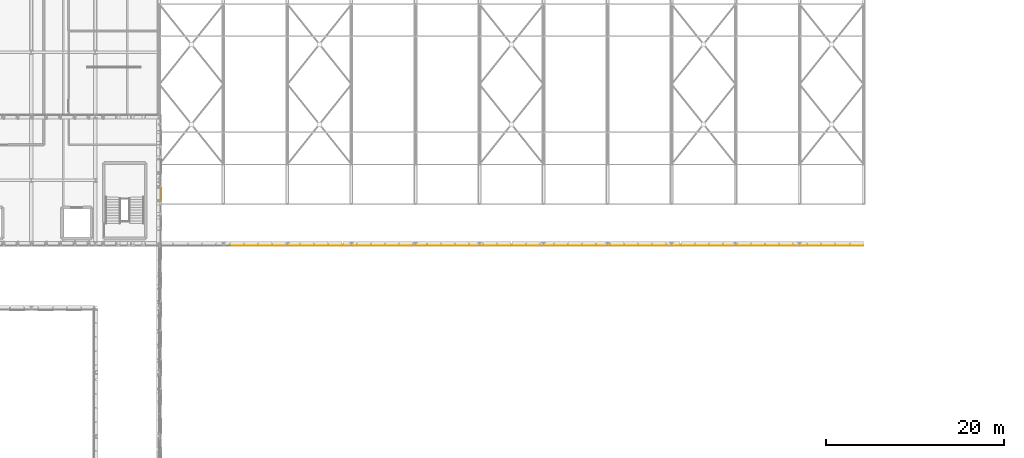
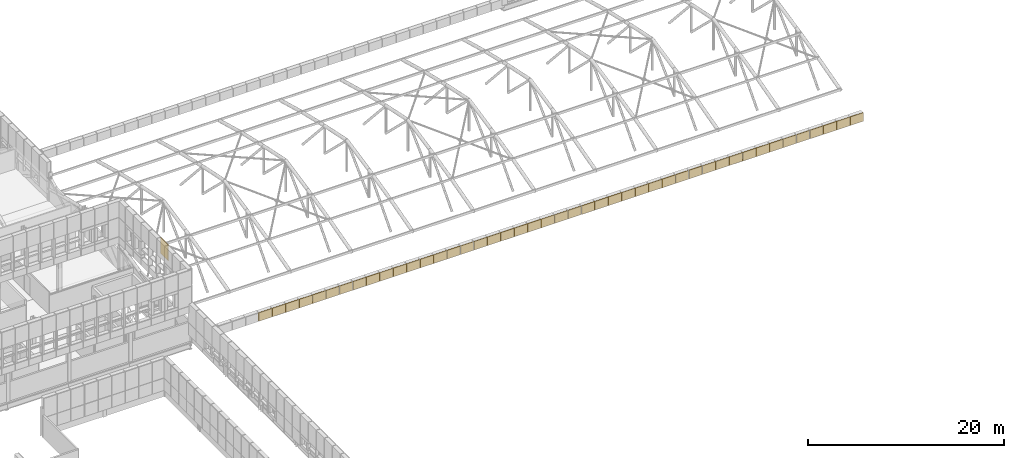
# One storey, part 82 of 96: 46 coverings.
"""IFC4 building model written with IfcOpenShell, lengths in metres."""

import ifcopenshell
import ifcopenshell.guid

model = None  # the IFC model being written
_history = None  # IfcOwnerHistory: only IFC2X3 demands one
_inside = {}  # id of a spatial element -> (the spatial element, [elements in it])
_under = {}  # id of a project, library or spatial element -> (it, [spatial elements below it])
_declared = {}  # id of a project -> (the project, [libraries it declares])
_typed = {}  # id of a type object -> (the type object, [elements of that type])
_made_of = {}  # id of a material, layer set ... -> (it, [elements and type objects made of it])


def new_model(schema):
    """Start an empty IFC model of exactly this schema.

    Asked for "IFC4X3", IfcOpenShell would pick the latest addendum, in which some entities
    have other attributes; the version numbers below select the first issue.
    IFC2X3 requires an IfcOwnerHistory on every rooted entity: one is made here for all.
    """
    global model, _history
    if schema == "IFC4X3":
        model = ifcopenshell.file(schema_version=(4, 3, 0, 0))
    else:
        model = ifcopenshell.file(schema=schema)
    _inside.clear()
    _under.clear()
    _declared.clear()
    _typed.clear()
    _made_of.clear()
    _history = None
    if model.schema == "IFC2X3":
        org = make("IfcOrganization", Name="unknown")
        user = make(
            "IfcPersonAndOrganization",
            ThePerson=make("IfcPerson", FamilyName="unknown"),
            TheOrganization=org,
        )
        app = make(
            "IfcApplication",
            ApplicationDeveloper=org,
            Version="unknown",
            ApplicationFullName="unknown",
            ApplicationIdentifier="unknown",
        )
        _history = make(
            "IfcOwnerHistory",
            OwningUser=user,
            OwningApplication=app,
            ChangeAction="ADDED",
            CreationDate=0,
        )
    return model


def make(cls, **values):
    """One entity of the class cls with the attributes given. An attribute that is None is left unset."""
    return model.create_entity(
        cls, **{name: value for name, value in values.items() if value is not None}
    )


def rooted(cls, **values):
    """An entity with a GlobalId (a new one), such as an element, a storey or a relation."""
    return make(cls, GlobalId=ifcopenshell.guid.new(), OwnerHistory=_history, **values)


def si_unit(unit_type, name, prefix=None):
    """IfcSIUnit, for example si_unit("LENGTHUNIT", "METRE", prefix="MILLI")."""
    return make("IfcSIUnit", UnitType=unit_type, Prefix=prefix, Name=name)


def assignment(units):
    """IfcUnitAssignment: the units of a project."""
    return None if units is None else make("IfcUnitAssignment", Units=units)


def point(xyz):
    """IfcCartesianPoint."""
    return None if xyz is None else make("IfcCartesianPoint", Coordinates=xyz)


def direction(xyz):
    """IfcDirection."""
    return None if xyz is None else make("IfcDirection", DirectionRatios=xyz)


def frame(location, z_axis=None, x_axis=None):
    """IfcAxis2Placement3D, a coordinate frame: its origin and axes. An axis left out is left unset."""
    return make(
        "IfcAxis2Placement3D",
        Location=point(location),
        Axis=direction(z_axis),
        RefDirection=direction(x_axis),
    )


def frame_2d(location, x_axis=None):
    """IfcAxis2Placement2D, a coordinate frame in the plane: its origin and x axis."""
    return make(
        "IfcAxis2Placement2D", Location=point(location), RefDirection=direction(x_axis)
    )


def origin():
    """The frame at (0, 0, 0) with its axes left unset."""
    return frame((0.0, 0.0, 0.0))


def origin_2d():
    """The frame at (0, 0) in the plane with its x axis left unset."""
    return frame_2d((0.0, 0.0))


def place(relative_to, where):
    """IfcLocalPlacement: puts the frame where relative to a parent placement (None: the world)."""
    return make(
        "IfcLocalPlacement", PlacementRelTo=relative_to, RelativePlacement=where
    )


def context(
    kind, dimensions, precision=None, world=None, true_north=None, identifier=None
):
    """IfcGeometricRepresentationContext, for example the 3D "Model" context."""
    return make(
        "IfcGeometricRepresentationContext",
        ContextIdentifier=identifier,
        ContextType=kind,
        CoordinateSpaceDimension=dimensions,
        Precision=precision,
        WorldCoordinateSystem=world,
        TrueNorth=true_north,
    )


def subcontext(parent, identifier, kind, view, scale=None):
    """IfcGeometricRepresentationSubContext, for example "Body" below "Model"."""
    return make(
        "IfcGeometricRepresentationSubContext",
        ContextIdentifier=identifier,
        ContextType=kind,
        ParentContext=parent,
        TargetScale=scale,
        TargetView=view,
    )


def project(units=None, contexts=None):
    """IfcProject with its units and contexts."""
    return rooted(
        "IfcProject",
        Name="project",
        RepresentationContexts=contexts,
        UnitsInContext=assignment(units),
    )


def spatial(cls, under=None, at=None, **own):
    """A site, building, storey or space (cls), placed at a placement, below another one or the project."""
    s = rooted(cls, ObjectPlacement=at, **own)
    if under is not None:
        _under.setdefault(under.id(), (under, []))[1].append(s)
    return s


def profile(cls, at=None, kind="AREA", **sizes):
    """A parametric profile (cls). Its sizes go by their IFC names, for example OverallWidth=200.0."""
    return make(cls, ProfileType=kind, Position=at, **sizes)


def rectangle(**sizes):
    """IfcRectangleProfileDef."""
    return profile("IfcRectangleProfileDef", **sizes)


def extrude(swept, where, along, depth):
    """IfcExtrudedAreaSolid: the profile swept, set in the frame where, extruded along a direction by depth."""
    return make(
        "IfcExtrudedAreaSolid",
        SweptArea=swept,
        Position=where,
        ExtrudedDirection=direction(along),
        Depth=depth,
    )


def shape(context_of_items, identifier, shape_type, items):
    """IfcShapeRepresentation: the items that make up one representation, for example the "Body"."""
    return make(
        "IfcShapeRepresentation",
        ContextOfItems=context_of_items,
        RepresentationIdentifier=identifier,
        RepresentationType=shape_type,
        Items=items,
    )


def material(Name=None, Category=None):
    """IfcMaterial."""
    return make("IfcMaterial", Name=Name, Category=Category)


def layer(
    of_material, thickness, ventilated=None, Name=None, Category=None, Priority=None
):
    """IfcMaterialLayer: one layer of a wall or slab, of a material (None: an air gap)."""
    return make(
        "IfcMaterialLayer",
        Material=of_material,
        LayerThickness=thickness,
        IsVentilated=ventilated,
        Name=Name,
        Category=Category,
        Priority=Priority,
    )


def layer_set(layers, Name=None):
    """IfcMaterialLayerSet."""
    return make("IfcMaterialLayerSet", MaterialLayers=layers, LayerSetName=Name)


def made_of(thing, what):
    """Note that an element or type object is made of a material, layer set ...; save() writes the relation."""
    if what is not None:
        _made_of.setdefault(what.id(), (what, []))[1].append(thing)
    return thing


def type_object(cls, material=None, **own):
    """A type object (cls), such as IfcWallType, which elements share."""
    return made_of(rooted(cls, **own), material)


def element(
    cls,
    number,
    at=None,
    inside=None,
    cuts=None,
    type_object=None,
    material=None,
    context=None,
    identifier="Body",
    shape_type=None,
    held_by="IfcProductDefinitionShape",
    body=None,
    shapes=None,
    **own,
):
    """One element of the class cls, such as IfcWall. Its Tag is "e" and its number.

    at: its placement. inside: the storey or other place that contains it. cuts: it is an
    opening in that element (IfcRelVoidsElement). A single representation is given by context,
    identifier, shape_type and body (its items); several are given by shapes. held_by: the class
    of the entity that holds the representations. save() writes the other relations.
    """
    e = rooted(cls, Tag="e%d" % number, ObjectPlacement=at, **own)
    if body is not None:
        shapes = [shape(context, identifier, shape_type, body)]
    if shapes is not None:
        e.Representation = make(held_by, Representations=shapes)
    if inside is not None:
        _inside.setdefault(inside.id(), (inside, []))[1].append(e)
    if cuts is not None:
        rooted(
            "IfcRelVoidsElement", RelatingBuildingElement=cuts, RelatedOpeningElement=e
        )
    if type_object is not None:
        _typed.setdefault(type_object.id(), (type_object, []))[1].append(e)
    return made_of(e, material)


def aggregate(whole, parts):
    """IfcRelAggregates: a whole, such as a stair, and the parts it consists of."""
    return rooted("IfcRelAggregates", RelatingObject=whole, RelatedObjects=parts)


def save(model, path):
    """Write the relations noted so far, then the file.

    IfcRelAggregates (storeys below a building ...), IfcRelContainedInSpatialStructure (elements
    in a storey), IfcRelDefinesByType, IfcRelAssociatesMaterial and IfcRelDeclares: one each for
    every whole, place, type object, material and project.
    """
    for whole, parts in _under.values():
        aggregate(whole, parts)
    for where, things in _inside.values():
        rooted(
            "IfcRelContainedInSpatialStructure",
            RelatedElements=things,
            RelatingStructure=where,
        )
    for kind, things in _typed.values():
        rooted("IfcRelDefinesByType", RelatedObjects=things, RelatingType=kind)
    for what, things in _made_of.values():
        rooted("IfcRelAssociatesMaterial", RelatedObjects=things, RelatingMaterial=what)
    for by, libraries in _declared.values():
        rooted("IfcRelDeclares", RelatingContext=by, RelatedDefinitions=libraries)
    model.write(path)


model = new_model("IFC4")

# Units and contexts
model_context = context("Model", 3, precision=1e-05, world=origin(), true_north=direction((0.0, 1.0)))
body_context = subcontext(model_context, "Body", "Model", "MODEL_VIEW")
ifc_project = project(units=[si_unit("LENGTHUNIT", "METRE"), si_unit("AREAUNIT", "SQUARE_METRE"), si_unit("VOLUMEUNIT", "CUBIC_METRE"), si_unit("PLANEANGLEUNIT", "RADIAN"), si_unit("MASSUNIT", "GRAM", prefix="KILO")], contexts=[model_context])

# Site, building, storey
site_placement = place(None, origin())
site = spatial("IfcSite", under=ifc_project, at=site_placement, CompositionType="ELEMENT")
building_placement = place(site_placement, origin())
building = spatial("IfcBuilding", under=site, at=building_placement, Name="Yarey Park Central Fire Station", CompositionType="ELEMENT")
storey_placement = place(building_placement, frame((0.0, 0.0, 14.39990234375)))
storey = spatial("IfcBuildingStorey", under=building, at=storey_placement, Name="L04", CompositionType="ELEMENT", Elevation=14.39990234375)

# Coverings
ifc_material = material(Name="Perforated Powder-Coated Aluminium Cladding", Category="aluminium")
ifc_layer_1 = layer(ifc_material, 0.0419921875)
ifc_layer_set_1 = layer_set([ifc_layer_1], Name="Perforated Powder-Coated Aluminium Cladding")
covering_type_1 = type_object("IfcCoveringType", Name="ENV_COV_PERF_1", PredefinedType="CLADDING", material=ifc_layer_set_1)
for number, where, z_axis, x_axis, name in (
    (1, (67.89599609375, 57.43994140625, -0.28515625), (0.0, 0.0, 1.0), (1.0, 0.0, 0.0), "PERF_L04_1389"),
    (2, (71.06396484375, 57.43994140625, -0.28515625), (0.0, 0.0, 1.0), (1.0, 0.0, 0.0), "PERF_L04_1398"),
    (3, (74.23193359375, 57.43994140625, -0.28515625), (0.0, 0.0, 1.0), (1.0, 0.0, 0.0), "PERF_L04_1404"),
    (4, (77.39990234375, 57.43994140625, -0.28515625), (0.0, 0.0, 1.0), (1.0, 0.0, 0.0), "PERF_L04_1414"),
    (5, (80.568115234375, 57.43994140625, -0.28515625), (0.0, 0.0, 1.0), (1.0, 0.0, 0.0), "PERF_L04_1422"),
    (6, (83.736083984375, 57.43994140625, -0.28515625), (0.0, 0.0, 1.0), (1.0, 0.0, 0.0), "PERF_L04_1432"),
    (7, (86.904052734375, 57.43994140625, -0.28515625), (0.0, 0.0, 1.0), (1.0, 0.0, 0.0), "PERF_L04_1438"),
    (8, (90.072021484375, 57.43994140625, -0.28515625), (0.0, 0.0, 1.0), (1.0, 0.0, 0.0), "PERF_L04_1447"),
    (9, (93.239990234375, 57.43994140625, -0.28515625), (0.0, 0.0, 1.0), (1.0, 0.0, 0.0), "PERF_L04_1455"),
    (10, (96.407958984375, 57.43994140625, -0.28515625), (0.0, 0.0, 1.0), (1.0, 0.0, 0.0), "PERF_L04_1463"),
    (11, (99.575927734375, 57.43994140625, -0.28515625), (0.0, 0.0, 1.0), (1.0, 0.0, 0.0), "PERF_L04_1472"),
    (12, (102.743896484375, 57.43994140625, -0.28515625), (0.0, 0.0, 1.0), (1.0, 0.0, 0.0), "PERF_L04_1478"),
    (13, (105.912109375, 57.43994140625, -0.28515625), (0.0, 0.0, 1.0), (1.0, 0.0, 0.0), "PERF_L04_1488"),
    (14, (109.080078125, 57.43994140625, -0.28515625), (0.0, 0.0, 1.0), (1.0, 0.0, 0.0), "PERF_L04_1496"),
    (15, (112.248046875, 57.43994140625, -0.28515625), (0.0, 0.0, 1.0), (1.0, 0.0, 0.0), "PERF_L04_1506"),
    (16, (115.416015625, 57.43994140625, -0.28515625), (0.0, 0.0, 1.0), (1.0, 0.0, 0.0), "PERF_L04_1512"),
    (17, (118.583984375, 57.43994140625, -0.28515625), (0.0, 0.0, 1.0), (1.0, 0.0, 0.0), "PERF_L04_1521"),
    (18, (121.751953125, 57.43994140625, -0.28515625), (0.0, 0.0, 1.0), (1.0, 0.0, 0.0), "PERF_L04_1529"),
    (19, (124.919921875, 57.43994140625, -0.28515625), (0.0, 0.0, 1.0), (1.0, 0.0, 0.0), "PERF_L04_1537"),
    (20, (128.087890625, 57.43994140625, -0.28515625), (0.0, 0.0, 1.0), (1.0, 0.0, 0.0), "PERF_L04_1545"),
    (21, (131.256103515625, 57.43994140625, -0.28515625), (0.0, 0.0, 1.0), (1.0, 0.0, 0.0), "PERF_L04_1553"),
    (22, (134.424072265625, 57.43994140625, -0.28515625), (0.0, 0.0, 1.0), (1.0, 0.0, 0.0), "PERF_L04_1562"),
):
    element("IfcCovering", number, at=place(storey_placement, frame(where, z_axis=z_axis, x_axis=x_axis)), inside=storey, type_object=covering_type_1, Name=name, PredefinedType="CLADDING", context=body_context, shape_type="SweptSolid", body=[
        extrude(rectangle(XDim=1.5439453125, YDim=0.0419921875, at=origin_2d()), origin(), (0.0, 0.0, 1.0), 1.070068359375),
    ])
ifc_layer_2 = layer(ifc_material, 0.053955078125)
ifc_layer_set_2 = layer_set([ifc_layer_2], Name="Perforated Powder-Coated Aluminium Cladding")
covering_type_2 = type_object("IfcCoveringType", Name="ENV_COV_PERF_2", PredefinedType="CLADDING", material=ifc_layer_set_2)
covering_placement = place(storey_placement, frame((57.760009765625, 63.199951171875, 6.9150390625), z_axis=(0.0, 0.0, 1.0), x_axis=(0.0, 1.0, 0.0)))
element("IfcCovering", 23, at=covering_placement, inside=storey, type_object=covering_type_2, Name="PERF_L04_1338", PredefinedType="CLADDING", context=body_context, shape_type="SweptSolid", body=[
    extrude(rectangle(XDim=1.56005859375, YDim=0.053955078125, at=origin_2d()), origin(), (0.0, 0.0, 1.0), 2.02001953125),
])
for number, where, z_axis, x_axis, name in (
    (24, (66.31201171875, 57.43994140625, -0.28515625), (0.0, 0.0, 1.0), (1.0, 0.0, 0.0), "PERF_L04_1385"),
    (25, (69.47998046875, 57.43994140625, -0.28515625), (0.0, 0.0, 1.0), (1.0, 0.0, 0.0), "PERF_L04_1395"),
    (26, (72.64794921875, 57.43994140625, -0.28515625), (0.0, 0.0, 1.0), (1.0, 0.0, 0.0), "PERF_L04_1401"),
    (27, (75.81591796875, 57.43994140625, -0.28515625), (0.0, 0.0, 1.0), (1.0, 0.0, 0.0), "PERF_L04_1410"),
    (28, (78.98388671875, 57.43994140625, -0.28515625), (0.0, 0.0, 1.0), (1.0, 0.0, 0.0), "PERF_L04_1418"),
    (29, (82.152099609375, 57.43994140625, -0.28515625), (0.0, 0.0, 1.0), (1.0, 0.0, 0.0), "PERF_L04_1426"),
    (30, (85.320068359375, 57.43994140625, -0.28515625), (0.0, 0.0, 1.0), (1.0, 0.0, 0.0), "PERF_L04_1435"),
    (31, (88.488037109375, 57.43994140625, -0.28515625), (0.0, 0.0, 1.0), (1.0, 0.0, 0.0), "PERF_L04_1441"),
    (32, (91.656005859375, 57.43994140625, -0.28515625), (0.0, 0.0, 1.0), (1.0, 0.0, 0.0), "PERF_L04_1451"),
    (33, (94.823974609375, 57.43994140625, -0.28515625), (0.0, 0.0, 1.0), (1.0, 0.0, 0.0), "PERF_L04_1459"),
    (34, (97.991943359375, 57.43994140625, -0.28515625), (0.0, 0.0, 1.0), (1.0, 0.0, 0.0), "PERF_L04_1469"),
    (35, (101.159912109375, 57.43994140625, -0.28515625), (0.0, 0.0, 1.0), (1.0, 0.0, 0.0), "PERF_L04_1475"),
    (36, (104.327880859375, 57.43994140625, -0.28515625), (0.0, 0.0, 1.0), (1.0, 0.0, 0.0), "PERF_L04_1484"),
    (37, (107.49609375, 57.43994140625, -0.28515625), (0.0, 0.0, 1.0), (1.0, 0.0, 0.0), "PERF_L04_1492"),
    (38, (110.6640625, 57.43994140625, -0.28515625), (0.0, 0.0, 1.0), (1.0, 0.0, 0.0), "PERF_L04_1500"),
    (39, (113.83203125, 57.43994140625, -0.28515625), (0.0, 0.0, 1.0), (1.0, 0.0, 0.0), "PERF_L04_1509"),
    (40, (117.0, 57.43994140625, -0.28515625), (0.0, 0.0, 1.0), (1.0, 0.0, 0.0), "PERF_L04_1515"),
    (41, (120.16796875, 57.43994140625, -0.28515625), (0.0, 0.0, 1.0), (1.0, 0.0, 0.0), "PERF_L04_1525"),
    (42, (123.3359375, 57.43994140625, -0.28515625), (0.0, 0.0, 1.0), (1.0, 0.0, 0.0), "PERF_L04_1533"),
    (43, (126.50390625, 57.43994140625, -0.28515625), (0.0, 0.0, 1.0), (1.0, 0.0, 0.0), "PERF_L04_1541"),
    (44, (129.672119140625, 57.43994140625, -0.28515625), (0.0, 0.0, 1.0), (1.0, 0.0, 0.0), "PERF_L04_1549"),
    (45, (132.840087890625, 57.43994140625, -0.28515625), (0.0, 0.0, 1.0), (1.0, 0.0, 0.0), "PERF_L04_1559"),
    (46, (136.008056640625, 57.43994140625, -0.28515625), (0.0, 0.0, 1.0), (1.0, 0.0, 0.0), "PERF_L04_1565"),
):
    element("IfcCovering", number, at=place(storey_placement, frame(where, z_axis=z_axis, x_axis=x_axis)), inside=storey, type_object=covering_type_2, Name=name, PredefinedType="CLADDING", context=body_context, shape_type="SweptSolid", body=[
        extrude(rectangle(XDim=1.5439453125, YDim=0.053955078125, at=origin_2d()), origin(), (0.0, 0.0, 1.0), 1.070068359375),
    ])

save(model, "model.ifc")
